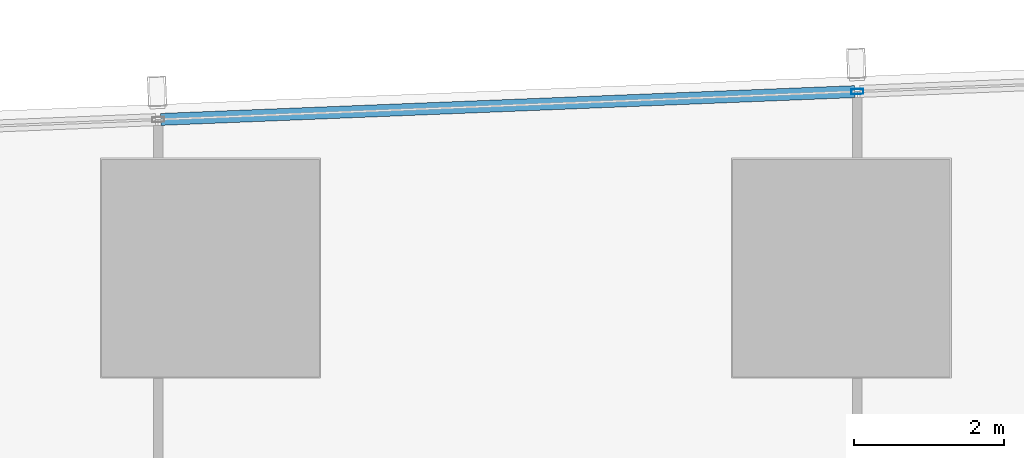
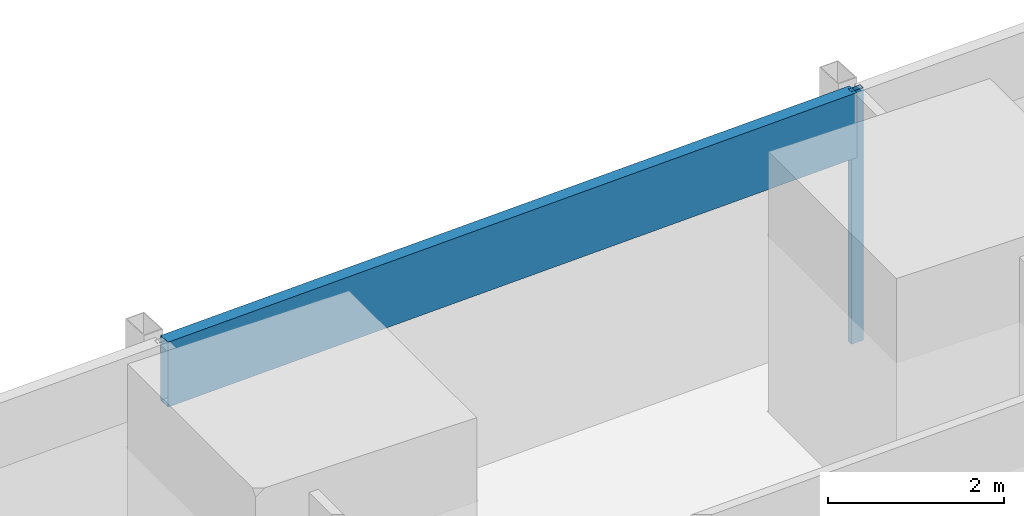
# One storey, part 16 of 40: 2 members, 1 element without a shape of its own.
"""IFC4 building model written with IfcOpenShell, lengths in metres."""

from ifc_helpers import new_model, si_unit, direction, frame, origin, origin_2d, place, context, subcontext, project, spatial, hollow_rectangle, extrude, material, material_profile, profile_set, type_object, element, aggregate, save


model = new_model("IFC4")

# Units and contexts
model_context = context("Model", 3, precision=1e-05, world=origin(), true_north=direction((0.0, 1.0)))
body_context = subcontext(model_context, "Body", "Model", "MODEL_VIEW")
ifc_project = project(units=[si_unit("LENGTHUNIT", "METRE"), si_unit("AREAUNIT", "SQUARE_METRE"), si_unit("VOLUMEUNIT", "CUBIC_METRE"), si_unit("PLANEANGLEUNIT", "RADIAN"), si_unit("MASSUNIT", "GRAM", prefix="KILO")], contexts=[model_context])

# Site, building, storey
site_placement = place(None, origin())
site = spatial("IfcSite", under=ifc_project, at=site_placement, CompositionType="ELEMENT")
building_placement = place(site_placement, origin())
building = spatial("IfcBuilding", under=site, at=building_placement, Name="Rekha Terrace Tower", CompositionType="ELEMENT")
storey_placement = place(building_placement, frame((0.0, 0.0, 95.300048828125)))
storey = spatial("IfcBuildingStorey", under=building, at=storey_placement, Name="L23", CompositionType="ELEMENT", Elevation=95.300048828125)

# Curtain wall, members
ifc_material_1 = material(Name="Aluminium framing", Category="aluminium")
curtain_wall_type = type_object("IfcCurtainWallType", Name="CW3 north unitised glazing", PredefinedType="USERDEFINED", material=ifc_material_1)
curtain_wall_placement = place(storey_placement, origin())
curtain_wall = element("IfcCurtainWall", 1, at=curtain_wall_placement, inside=storey, type_object=curtain_wall_type, Name="CW3 unitised curtain wall", ObjectType="UNITISED CURTAIN WALL", PredefinedType="USERDEFINED")
ifc_material_2 = material(Name="Aluminium mullion section", Category="aluminium")
ifc_material_profile_1 = material_profile(ifc_material_2, hollow_rectangle(XDim=0.070068359375, YDim=0.159912109375, WallThickness=0.00390625, at=origin_2d()), Name="AL RHS 70x160")
ifc_profile_set_1 = profile_set([ifc_material_profile_1], Name="Aluminium mullion section")
member_type_1 = type_object("IfcMemberType", Name="CW3 mullion RHS 70 x 160", PredefinedType="MULLION", material=ifc_profile_set_1)
member_1_placement = place(storey_placement, frame((25.413818359375, 61.153564453125, 0.0), z_axis=(0.0, 0.0, 1.0), x_axis=(0.040031987119, -0.999198398721, 0.0)))
member_1 = element("IfcMember", 2, at=member_1_placement, type_object=member_type_1, Name="CW3 mullion 3", PredefinedType="MULLION", context=body_context, shape_type="SweptSolid", body=[
    extrude(hollow_rectangle(XDim=0.070068359375, YDim=0.159912109375, WallThickness=0.00390625, at=origin_2d()), origin(), (0.0, 0.0, 1.0), 3.5),
])
ifc_material_3 = material(Name="Insulated aluminium spandrel box", Category="aluminium")
ifc_material_profile_2 = material_profile(ifc_material_3, hollow_rectangle(XDim=0.159912109375, YDim=0.89990234375, WallThickness=0.0029296875, at=origin_2d()), Name="AL SPANDREL BOX 160x900")
ifc_profile_set_2 = profile_set([ifc_material_profile_2], Name="Insulated aluminium spandrel box")
member_type_2 = type_object("IfcMemberType", Name="CW3 spandrel transom 160 x 900", PredefinedType="USERDEFINED", material=ifc_profile_set_2)
member_2_placement = place(storey_placement, frame((25.37890625, 61.152099609375, 3.050048828125), z_axis=(-0.999199102424, -0.040014418831, 0.0), x_axis=(0.040014418831, -0.999199102424, 0.0)))
member_2 = element("IfcMember", 3, at=member_2_placement, type_object=member_type_2, Name="CW3 spandrel transom 3", ObjectType="TRANSOM", PredefinedType="USERDEFINED", context=body_context, shape_type="SweptSolid", body=[
    extrude(hollow_rectangle(XDim=0.159912109375, YDim=0.89990234375, WallThickness=0.0029296875, at=origin_2d()), origin(), (0.0, 0.0, 1.0), 9.24951171875),
])
aggregate(curtain_wall, [member_1, member_2])

save(model, "model.ifc")
